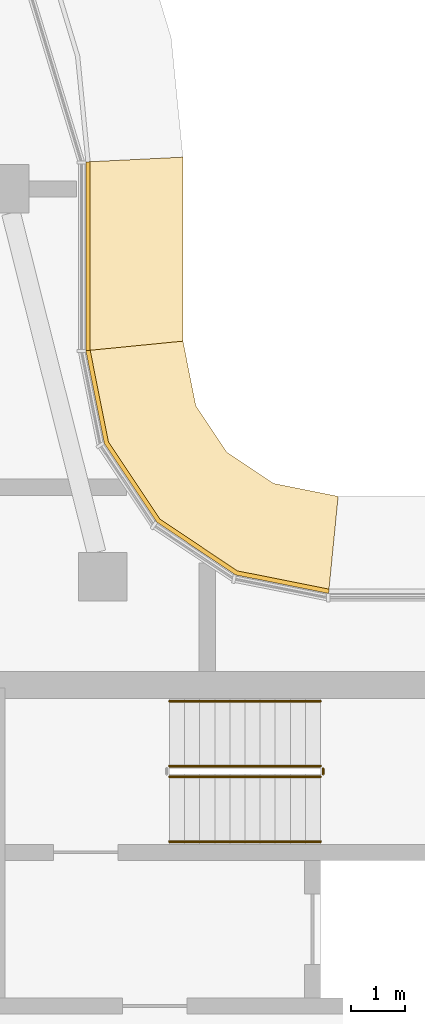
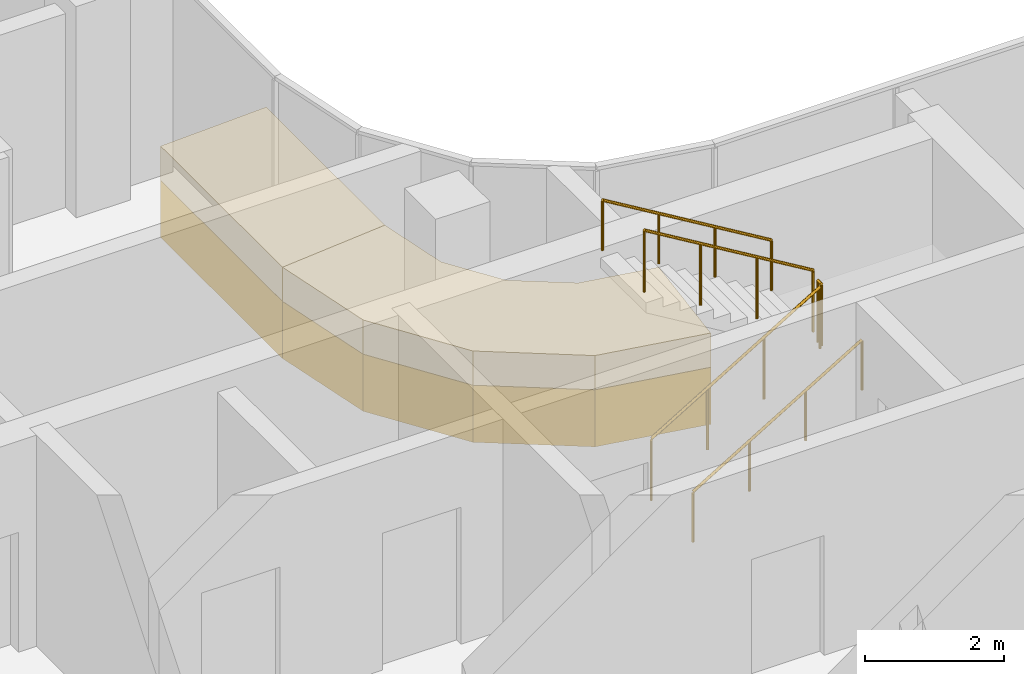
# One storey, part 18 of 21: 5 railings, 4 coverings.
"""IFC4 building model written with IfcOpenShell, lengths in metres."""

from ifc_helpers import new_model, si_unit, direction, frame, origin, origin_2d, place, context, subcontext, project, spatial, polyline, circle, outline, extrude, material, layer, layer_set, type_object, element, save


model = new_model("IFC4")

# Units and contexts
model_context = context("Model", 3, precision=1e-05, world=origin(), true_north=direction((0.0, 1.0)))
body_context = subcontext(model_context, "Body", "Model", "MODEL_VIEW")
ifc_project = project(units=[si_unit("LENGTHUNIT", "METRE"), si_unit("AREAUNIT", "SQUARE_METRE"), si_unit("VOLUMEUNIT", "CUBIC_METRE"), si_unit("PLANEANGLEUNIT", "RADIAN"), si_unit("MASSUNIT", "GRAM", prefix="KILO")], contexts=[model_context])

# Site, building, storey
site_placement = place(None, origin())
site = spatial("IfcSite", under=ifc_project, at=site_placement, CompositionType="ELEMENT")
building_placement = place(site_placement, origin())
building = spatial("IfcBuilding", under=site, at=building_placement, Name="Ogive Portal Towers", CompositionType="ELEMENT")
storey_placement = place(building_placement, frame((0.0, 0.0, 225.39990234375)))
storey = spatial("IfcBuildingStorey", under=building, at=storey_placement, Name="L56", CompositionType="ELEMENT", Elevation=225.39990234375)

# Railings
ifc_material_1 = material(Name="Stainless steel balustrade", Category="steel")
railing_type_1 = type_object("IfcRailingType", Name="INT-GUARD", PredefinedType="GUARDRAIL", material=ifc_material_1)
railing_1_placement = place(storey_placement, frame((52.550048828125, 37.60009765625, 0.168212890625)))
element("IfcRailing", 1, at=railing_1_placement, inside=storey, type_object=railing_type_1, Name="L56 ST-A2 stair guard 1", PredefinedType="GUARDRAIL", context=body_context, shape_type="SweptSolid", body=[
    extrude(circle(Radius=0.02392578125, at=origin_2d()), frame((0.0, 0.0, 1.076171875), z_axis=(0.857242210791, 0.0, 0.514913383045), x_axis=(0.0, 1.0, 0.0)), (0.0, 0.0, 1.0), 3.266357421875),
    extrude(circle(Radius=0.02099609375, at=origin_2d()), origin(), (0.0, 0.0, 1.0), 1.052001953125),
    extrude(circle(Radius=0.02099609375, at=origin_2d()), frame((0.933349609375, 0.0, 0.560546875)), (0.0, 0.0, 1.0), 1.052001953125),
    extrude(circle(Radius=0.02099609375, at=origin_2d()), frame((1.86669921875, 0.0, 1.121337890625)), (0.0, 0.0, 1.0), 1.052001953125),
    extrude(circle(Radius=0.02099609375, at=origin_2d()), frame((2.800048828125, 0.0, 1.681884765625)), (0.0, 0.0, 1.0), 1.052001953125),
])
railing_2_placement = place(storey_placement, frame((55.39990234375, 37.64990234375, 1.85009765625)))
element("IfcRailing", 2, at=railing_2_placement, inside=storey, type_object=railing_type_1, Name="L56 ST-A2 stair guard 2", PredefinedType="GUARDRAIL", context=body_context, shape_type="SweptSolid", body=[
    extrude(circle(Radius=0.02392578125, at=origin_2d()), frame((0.0, 0.0, 1.076171875), z_axis=(0.0, 1.0, 0.0), x_axis=(-1.0, 0.0, 0.0)), (0.0, 0.0, 1.0), 0.10009765625),
    extrude(circle(Radius=0.02099609375, at=origin_2d()), origin(), (0.0, 0.0, 1.0), 1.052001953125),
    extrude(circle(Radius=0.02099609375, at=origin_2d()), frame((0.0, 0.10009765625, 0.0)), (0.0, 0.0, 1.0), 1.052001953125),
])
railing_3_placement = place(storey_placement, frame((55.35009765625, 37.800048828125, 2.018310546875)))
element("IfcRailing", 3, at=railing_3_placement, inside=storey, type_object=railing_type_1, Name="L56 ST-A2 stair guard 3", PredefinedType="GUARDRAIL", context=body_context, shape_type="SweptSolid", body=[
    extrude(circle(Radius=0.02392578125, at=origin_2d()), frame((0.0, 0.0, 1.076171875), z_axis=(-0.857242210791, 0.0, 0.514913383045), x_axis=(0.0, -1.0, 0.0)), (0.0, 0.0, 1.0), 3.266357421875),
    extrude(circle(Radius=0.02099609375, at=origin_2d()), origin(), (0.0, 0.0, 1.0), 1.052001953125),
    extrude(circle(Radius=0.02099609375, at=origin_2d()), frame((-0.933349609375, 0.0, 0.560546875)), (0.0, 0.0, 1.0), 1.052001953125),
    extrude(circle(Radius=0.02099609375, at=origin_2d()), frame((-1.86669921875, 0.0, 1.121337890625)), (0.0, 0.0, 1.0), 1.052001953125),
    extrude(circle(Radius=0.02099609375, at=origin_2d()), frame((-2.800048828125, 0.0, 1.681884765625)), (0.0, 0.0, 1.0), 1.052001953125),
])
ifc_material_2 = material(Name="Stainless steel handrail", Category="steel")
railing_type_2 = type_object("IfcRailingType", Name="INT-HANDRAIL", PredefinedType="HANDRAIL", material=ifc_material_2)
railing_4_placement = place(storey_placement, frame((52.550048828125, 36.39990234375, 0.168212890625)))
element("IfcRailing", 4, at=railing_4_placement, inside=storey, type_object=railing_type_2, Name="L56 ST-A2 stair handrail 1", PredefinedType="HANDRAIL", context=body_context, shape_type="SweptSolid", body=[
    extrude(circle(Radius=0.02392578125, at=origin_2d()), frame((0.0, 0.0, 0.8759765625), z_axis=(0.857242210791, 0.0, 0.514913383045), x_axis=(0.0, 1.0, 0.0)), (0.0, 0.0, 1.0), 3.266357421875),
    extrude(circle(Radius=0.02099609375, at=origin_2d()), origin(), (0.0, 0.0, 1.0), 0.851806640625),
    extrude(circle(Radius=0.02099609375, at=origin_2d()), frame((0.933349609375, 0.0, 0.560546875)), (0.0, 0.0, 1.0), 0.851806640625),
    extrude(circle(Radius=0.02099609375, at=origin_2d()), frame((1.86669921875, 0.0, 1.121337890625)), (0.0, 0.0, 1.0), 0.851806640625),
    extrude(circle(Radius=0.02099609375, at=origin_2d()), frame((2.800048828125, 0.0, 1.681884765625)), (0.0, 0.0, 1.0), 0.851806640625),
])
railing_5_placement = place(storey_placement, frame((55.35009765625, 39.0, 2.018310546875)))
element("IfcRailing", 5, at=railing_5_placement, inside=storey, type_object=railing_type_2, Name="L56 ST-A2 stair handrail 2", PredefinedType="HANDRAIL", context=body_context, shape_type="SweptSolid", body=[
    extrude(circle(Radius=0.02392578125, at=origin_2d()), frame((0.0, 0.0, 0.8759765625), z_axis=(-0.857242210791, 0.0, 0.514913383045), x_axis=(0.0, -1.0, 0.0)), (0.0, 0.0, 1.0), 3.266357421875),
    extrude(circle(Radius=0.02099609375, at=origin_2d()), origin(), (0.0, 0.0, 1.0), 0.851806640625),
    extrude(circle(Radius=0.02099609375, at=origin_2d()), frame((-0.933349609375, 0.0, 0.560546875)), (0.0, 0.0, 1.0), 0.851806640625),
    extrude(circle(Radius=0.02099609375, at=origin_2d()), frame((-1.86669921875, 0.0, 1.121337890625)), (0.0, 0.0, 1.0), 0.851806640625),
    extrude(circle(Radius=0.02099609375, at=origin_2d()), frame((-2.800048828125, 0.0, 1.681884765625)), (0.0, 0.0, 1.0), 0.851806640625),
])

# Coverings
ifc_material_3 = material(Name="Limestone cladding on lightweight block wall", Category="masonry")
ifc_layer_1 = layer(ifc_material_3, 0.080078125)
ifc_layer_set_1 = layer_set([ifc_layer_1], Name="STONE SPANDREL 80")
covering_type_1 = type_object("IfcCoveringType", Name="STONE SPANDREL 80", PredefinedType="CLADDING", material=ifc_layer_set_1)
covering_1_placement = place(storey_placement, frame((0.0, 0.0, -1.599853515625)))
element("IfcCovering", 6, at=covering_1_placement, inside=storey, type_object=covering_type_1, Name="Stone spandrel A1-F10", PredefinedType="CLADDING", context=body_context, shape_type="SweptSolid", body=[
    extrude(outline(polyline([(55.5, 41.0), (53.77783203125, 41.342529296875), (52.318115234375, 42.318115234375), (51.342529296875, 43.77783203125), (51.0, 45.5), (51.080078125, 45.5078125), (51.41796875, 43.80908203125), (52.375732421875, 42.375732421875), (53.80908203125, 41.41796875), (55.5078125, 41.080078125), (55.5, 41.0)])), origin(), (0.0, 0.0, 1.0), 1.0),
])
covering_2_placement = place(storey_placement, frame((0.0, 0.0, -1.599853515625)))
element("IfcCovering", 7, at=covering_2_placement, inside=storey, type_object=covering_type_1, Name="Stone spandrel A1-F11", PredefinedType="CLADDING", context=body_context, shape_type="SweptSolid", body=[
    extrude(outline(polyline([(51.0, 45.5), (51.0, 49.0), (51.080078125, 49.00390625), (51.080078125, 45.5078125), (51.0, 45.5)])), origin(), (0.0, 0.0, 1.0), 1.0),
])
ifc_layer_2 = layer(ifc_material_3, 0.60009765625)
ifc_layer_set_2 = layer_set([ifc_layer_2], Name="SUNSHADE LIP 600")
covering_type_2 = type_object("IfcCoveringType", Name="SUNSHADE LIP 600", PredefinedType="CLADDING", material=ifc_layer_set_2)
covering_3_placement = place(storey_placement, frame((0.0, 0.0, -0.599853515625)))
element("IfcCovering", 8, at=covering_3_placement, inside=storey, type_object=covering_type_2, Name="Sunshade lip A1-F10", PredefinedType="CLADDING", context=body_context, shape_type="SweptSolid", body=[
    extrude(outline(polyline([(55.5, 41.0), (53.77783203125, 41.342529296875), (52.318115234375, 42.318115234375), (51.342529296875, 43.77783203125), (51.0, 45.5), (52.800048828125, 45.67724609375), (53.0380859375, 44.480224609375), (53.61572265625, 43.61572265625), (54.480224609375, 43.0380859375), (55.67724609375, 42.800048828125), (55.5, 41.0)])), origin(), (0.0, 0.0, 1.0), 0.599853515625),
])
covering_4_placement = place(storey_placement, frame((0.0, 0.0, -0.599853515625)))
element("IfcCovering", 9, at=covering_4_placement, inside=storey, type_object=covering_type_2, Name="Sunshade lip A1-F11", PredefinedType="CLADDING", context=body_context, shape_type="SweptSolid", body=[
    extrude(outline(polyline([(51.0, 45.5), (51.0, 49.0), (52.800048828125, 49.08837890625), (52.800048828125, 45.67724609375), (51.0, 45.5)])), origin(), (0.0, 0.0, 1.0), 0.599853515625),
])

save(model, "model.ifc")
